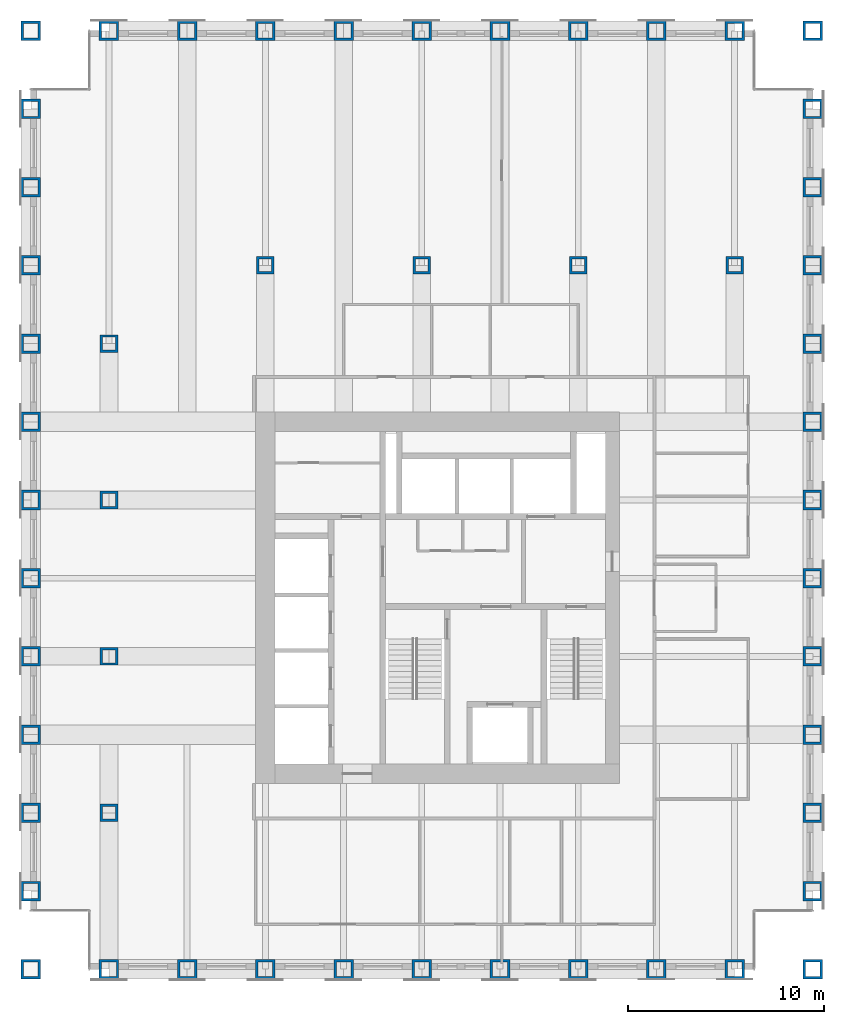
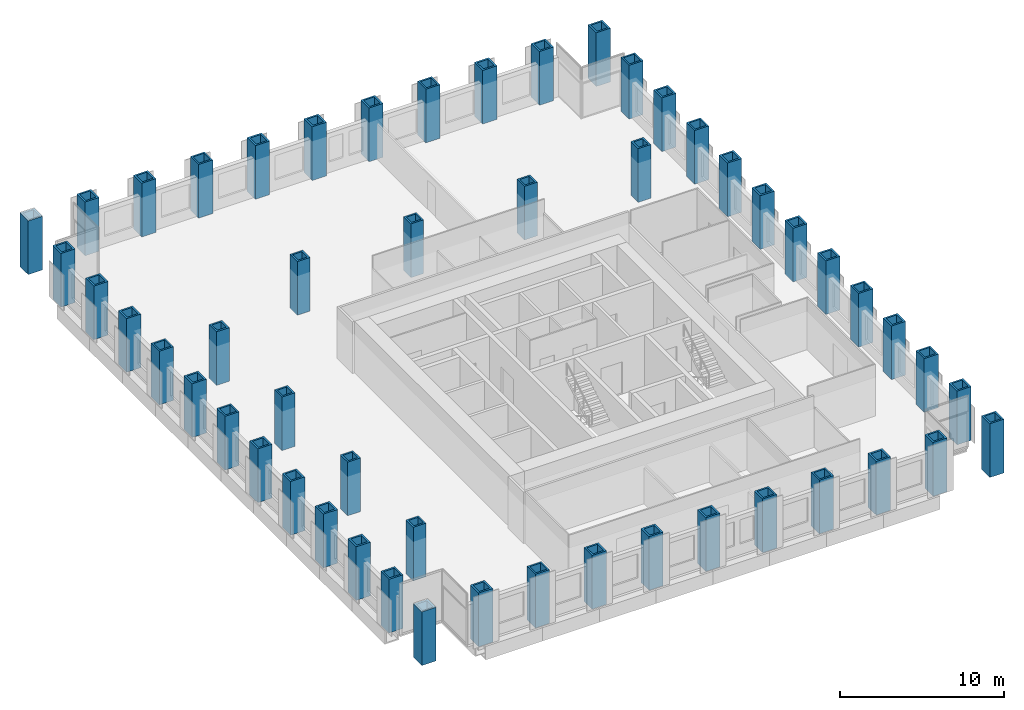
# One storey, part 1 of 13: 52 columns.
"""IFC4 building model written with IfcOpenShell, lengths in metres."""

import ifcopenshell
import ifcopenshell.guid

model = None  # the IFC model being written
_history = None  # IfcOwnerHistory: only IFC2X3 demands one
_inside = {}  # id of a spatial element -> (the spatial element, [elements in it])
_under = {}  # id of a project, library or spatial element -> (it, [spatial elements below it])
_declared = {}  # id of a project -> (the project, [libraries it declares])
_typed = {}  # id of a type object -> (the type object, [elements of that type])
_made_of = {}  # id of a material, layer set ... -> (it, [elements and type objects made of it])


def new_model(schema):
    """Start an empty IFC model of exactly this schema.

    Asked for "IFC4X3", IfcOpenShell would pick the latest addendum, in which some entities
    have other attributes; the version numbers below select the first issue.
    IFC2X3 requires an IfcOwnerHistory on every rooted entity: one is made here for all.
    """
    global model, _history
    if schema == "IFC4X3":
        model = ifcopenshell.file(schema_version=(4, 3, 0, 0))
    else:
        model = ifcopenshell.file(schema=schema)
    _inside.clear()
    _under.clear()
    _declared.clear()
    _typed.clear()
    _made_of.clear()
    _history = None
    if model.schema == "IFC2X3":
        org = make("IfcOrganization", Name="unknown")
        user = make(
            "IfcPersonAndOrganization",
            ThePerson=make("IfcPerson", FamilyName="unknown"),
            TheOrganization=org,
        )
        app = make(
            "IfcApplication",
            ApplicationDeveloper=org,
            Version="unknown",
            ApplicationFullName="unknown",
            ApplicationIdentifier="unknown",
        )
        _history = make(
            "IfcOwnerHistory",
            OwningUser=user,
            OwningApplication=app,
            ChangeAction="ADDED",
            CreationDate=0,
        )
    return model


def make(cls, **values):
    """One entity of the class cls with the attributes given. An attribute that is None is left unset."""
    return model.create_entity(
        cls, **{name: value for name, value in values.items() if value is not None}
    )


def rooted(cls, **values):
    """An entity with a GlobalId (a new one), such as an element, a storey or a relation."""
    return make(cls, GlobalId=ifcopenshell.guid.new(), OwnerHistory=_history, **values)


def si_unit(unit_type, name, prefix=None):
    """IfcSIUnit, for example si_unit("LENGTHUNIT", "METRE", prefix="MILLI")."""
    return make("IfcSIUnit", UnitType=unit_type, Prefix=prefix, Name=name)


def assignment(units):
    """IfcUnitAssignment: the units of a project."""
    return None if units is None else make("IfcUnitAssignment", Units=units)


def point(xyz):
    """IfcCartesianPoint."""
    return None if xyz is None else make("IfcCartesianPoint", Coordinates=xyz)


def direction(xyz):
    """IfcDirection."""
    return None if xyz is None else make("IfcDirection", DirectionRatios=xyz)


def frame(location, z_axis=None, x_axis=None):
    """IfcAxis2Placement3D, a coordinate frame: its origin and axes. An axis left out is left unset."""
    return make(
        "IfcAxis2Placement3D",
        Location=point(location),
        Axis=direction(z_axis),
        RefDirection=direction(x_axis),
    )


def frame_2d(location, x_axis=None):
    """IfcAxis2Placement2D, a coordinate frame in the plane: its origin and x axis."""
    return make(
        "IfcAxis2Placement2D", Location=point(location), RefDirection=direction(x_axis)
    )


def origin():
    """The frame at (0, 0, 0) with its axes left unset."""
    return frame((0.0, 0.0, 0.0))


def origin_2d():
    """The frame at (0, 0) in the plane with its x axis left unset."""
    return frame_2d((0.0, 0.0))


def place(relative_to, where):
    """IfcLocalPlacement: puts the frame where relative to a parent placement (None: the world)."""
    return make(
        "IfcLocalPlacement", PlacementRelTo=relative_to, RelativePlacement=where
    )


def context(
    kind, dimensions, precision=None, world=None, true_north=None, identifier=None
):
    """IfcGeometricRepresentationContext, for example the 3D "Model" context."""
    return make(
        "IfcGeometricRepresentationContext",
        ContextIdentifier=identifier,
        ContextType=kind,
        CoordinateSpaceDimension=dimensions,
        Precision=precision,
        WorldCoordinateSystem=world,
        TrueNorth=true_north,
    )


def subcontext(parent, identifier, kind, view, scale=None):
    """IfcGeometricRepresentationSubContext, for example "Body" below "Model"."""
    return make(
        "IfcGeometricRepresentationSubContext",
        ContextIdentifier=identifier,
        ContextType=kind,
        ParentContext=parent,
        TargetScale=scale,
        TargetView=view,
    )


def project(units=None, contexts=None):
    """IfcProject with its units and contexts."""
    return rooted(
        "IfcProject",
        Name="project",
        RepresentationContexts=contexts,
        UnitsInContext=assignment(units),
    )


def spatial(cls, under=None, at=None, **own):
    """A site, building, storey or space (cls), placed at a placement, below another one or the project."""
    s = rooted(cls, ObjectPlacement=at, **own)
    if under is not None:
        _under.setdefault(under.id(), (under, []))[1].append(s)
    return s


def profile(cls, at=None, kind="AREA", **sizes):
    """A parametric profile (cls). Its sizes go by their IFC names, for example OverallWidth=200.0."""
    return make(cls, ProfileType=kind, Position=at, **sizes)


def hollow_rectangle(**sizes):
    """IfcRectangleHollowProfileDef."""
    return profile("IfcRectangleHollowProfileDef", **sizes)


def extrude(swept, where, along, depth):
    """IfcExtrudedAreaSolid: the profile swept, set in the frame where, extruded along a direction by depth."""
    return make(
        "IfcExtrudedAreaSolid",
        SweptArea=swept,
        Position=where,
        ExtrudedDirection=direction(along),
        Depth=depth,
    )


def shape(context_of_items, identifier, shape_type, items):
    """IfcShapeRepresentation: the items that make up one representation, for example the "Body"."""
    return make(
        "IfcShapeRepresentation",
        ContextOfItems=context_of_items,
        RepresentationIdentifier=identifier,
        RepresentationType=shape_type,
        Items=items,
    )


def material(Name=None, Category=None):
    """IfcMaterial."""
    return make("IfcMaterial", Name=Name, Category=Category)


def material_profile(
    of_material, cross_section, Name=None, Category=None, Priority=None
):
    """IfcMaterialProfile: a cross section and its material."""
    return make(
        "IfcMaterialProfile",
        Name=Name,
        Material=of_material,
        Profile=cross_section,
        Priority=Priority,
        Category=Category,
    )


def profile_set(profiles, Name=None, composite=None):
    """IfcMaterialProfileSet."""
    return make(
        "IfcMaterialProfileSet",
        Name=Name,
        MaterialProfiles=profiles,
        CompositeProfile=composite,
    )


def made_of(thing, what):
    """Note that an element or type object is made of a material, layer set ...; save() writes the relation."""
    if what is not None:
        _made_of.setdefault(what.id(), (what, []))[1].append(thing)
    return thing


def type_object(cls, material=None, **own):
    """A type object (cls), such as IfcWallType, which elements share."""
    return made_of(rooted(cls, **own), material)


def element(
    cls,
    number,
    at=None,
    inside=None,
    cuts=None,
    type_object=None,
    material=None,
    context=None,
    identifier="Body",
    shape_type=None,
    held_by="IfcProductDefinitionShape",
    body=None,
    shapes=None,
    **own,
):
    """One element of the class cls, such as IfcWall. Its Tag is "e" and its number.

    at: its placement. inside: the storey or other place that contains it. cuts: it is an
    opening in that element (IfcRelVoidsElement). A single representation is given by context,
    identifier, shape_type and body (its items); several are given by shapes. held_by: the class
    of the entity that holds the representations. save() writes the other relations.
    """
    e = rooted(cls, Tag="e%d" % number, ObjectPlacement=at, **own)
    if body is not None:
        shapes = [shape(context, identifier, shape_type, body)]
    if shapes is not None:
        e.Representation = make(held_by, Representations=shapes)
    if inside is not None:
        _inside.setdefault(inside.id(), (inside, []))[1].append(e)
    if cuts is not None:
        rooted(
            "IfcRelVoidsElement", RelatingBuildingElement=cuts, RelatedOpeningElement=e
        )
    if type_object is not None:
        _typed.setdefault(type_object.id(), (type_object, []))[1].append(e)
    return made_of(e, material)


def aggregate(whole, parts):
    """IfcRelAggregates: a whole, such as a stair, and the parts it consists of."""
    return rooted("IfcRelAggregates", RelatingObject=whole, RelatedObjects=parts)


def save(model, path):
    """Write the relations noted so far, then the file.

    IfcRelAggregates (storeys below a building ...), IfcRelContainedInSpatialStructure (elements
    in a storey), IfcRelDefinesByType, IfcRelAssociatesMaterial and IfcRelDeclares: one each for
    every whole, place, type object, material and project.
    """
    for whole, parts in _under.values():
        aggregate(whole, parts)
    for where, things in _inside.values():
        rooted(
            "IfcRelContainedInSpatialStructure",
            RelatedElements=things,
            RelatingStructure=where,
        )
    for kind, things in _typed.values():
        rooted("IfcRelDefinesByType", RelatedObjects=things, RelatingType=kind)
    for what, things in _made_of.values():
        rooted("IfcRelAssociatesMaterial", RelatedObjects=things, RelatingMaterial=what)
    for by, libraries in _declared.values():
        rooted("IfcRelDeclares", RelatingContext=by, RelatedDefinitions=libraries)
    model.write(path)


model = new_model("IFC4")

# Units and contexts
model_context = context("Model", 3, precision=1e-05, world=origin(), true_north=direction((0.0, 1.0)))
body_context = subcontext(model_context, "Body", "Model", "MODEL_VIEW")
ifc_project = project(units=[si_unit("LENGTHUNIT", "METRE"), si_unit("AREAUNIT", "SQUARE_METRE"), si_unit("VOLUMEUNIT", "CUBIC_METRE"), si_unit("PLANEANGLEUNIT", "RADIAN"), si_unit("MASSUNIT", "GRAM", prefix="KILO")], contexts=[model_context])

# Site, building, storey
site_placement = place(None, origin())
site = spatial("IfcSite", under=ifc_project, at=site_placement, CompositionType="ELEMENT")
building_placement = place(site_placement, origin())
building = spatial("IfcBuilding", under=site, at=building_placement, Name="Rimbunsela Tower", CompositionType="ELEMENT")
storey_placement = place(building_placement, frame((0.0, 0.0, 199.800048828125)))
storey = spatial("IfcBuildingStorey", under=building, at=storey_placement, Name="L48", CompositionType="ELEMENT", Elevation=199.800048828125)

# Columns
ifc_material_1 = material(Name="Steel BJ 55 (fy 410 MPa)", Category="steel")
ifc_material_profile_1 = material_profile(ifc_material_1, hollow_rectangle(XDim=1.0, YDim=1.0, WallThickness=0.125, at=origin_2d()), Name="BOX 1000x1000x125")
ifc_profile_set_1 = profile_set([ifc_material_profile_1], Name="Steel BJ 55 (fy 410 MPa)")
column_type_1 = type_object("IfcColumnType", Name="Column BOX 1000x1000x125", PredefinedType="COLUMN", material=ifc_profile_set_1)
for number, where, z_axis, x_axis, name in (
    (1, (6.0, 8.0, 0.0), (0.0, 0.0, 1.0), (1.0, 0.0, 0.0), "Column C8 4/D L48"),
    (2, (6.0, 12.0, 0.0), (0.0, 0.0, 1.0), (1.0, 0.0, 0.0), "Column C8 4/E L48"),
    (3, (6.0, 16.0, 0.0), (0.0, 0.0, 1.0), (1.0, 0.0, 0.0), "Column C8 4/F L48"),
    (4, (6.0, 20.0, 0.0), (0.0, 0.0, 1.0), (1.0, 0.0, 0.0), "Column C8 4/G L48"),
    (5, (6.0, 24.0, 0.0), (0.0, 0.0, 1.0), (1.0, 0.0, 0.0), "Column C8 4/H L48"),
    (6, (6.0, 28.0, 0.0), (0.0, 0.0, 1.0), (1.0, 0.0, 0.0), "Column C8 4/J L48"),
    (7, (6.0, 32.0, 0.0), (0.0, 0.0, 1.0), (1.0, 0.0, 0.0), "Column C8 4/K L48"),
    (8, (6.0, 36.0, 0.0), (0.0, 0.0, 1.0), (1.0, 0.0, 0.0), "Column C8 4/L L48"),
    (9, (6.0, 40.0, 0.0), (0.0, 0.0, 1.0), (1.0, 0.0, 0.0), "Column C8 4/M L48"),
    (10, (6.0, 44.0, 0.0), (0.0, 0.0, 1.0), (1.0, 0.0, 0.0), "Column C8 4/N L48"),
    (11, (6.0, 48.0, 0.0), (0.0, 0.0, 1.0), (1.0, 0.0, 0.0), "Column C8 4/P L48"),
    (12, (6.0, 52.0, 0.0), (0.0, 0.0, 1.0), (1.0, 0.0, 0.0), "Column C8 4/Q L48"),
    (13, (6.0, 56.0, 0.0), (0.0, 0.0, 1.0), (1.0, 0.0, 0.0), "Column C8 4/R L48"),
    (14, (10.0, 8.0, 0.0), (0.0, 0.0, 1.0), (1.0, 0.0, 0.0), "Column C8 5/D L48"),
    (15, (10.0, 56.0, 0.0), (0.0, 0.0, 1.0), (1.0, 0.0, 0.0), "Column C8 5/R L48"),
    (16, (14.0, 8.0, 0.0), (0.0, 0.0, 1.0), (1.0, 0.0, 0.0), "Column C8 6/D L48"),
    (17, (14.0, 56.0, 0.0), (0.0, 0.0, 1.0), (1.0, 0.0, 0.0), "Column C8 6/R L48"),
    (18, (18.0, 8.0, 0.0), (0.0, 0.0, 1.0), (1.0, 0.0, 0.0), "Column C8 7/D L48"),
    (19, (18.0, 56.0, 0.0), (0.0, 0.0, 1.0), (1.0, 0.0, 0.0), "Column C8 7/R L48"),
    (20, (22.0, 8.0, 0.0), (0.0, 0.0, 1.0), (1.0, 0.0, 0.0), "Column C8 8/D L48"),
    (21, (22.0, 56.0, 0.0), (0.0, 0.0, 1.0), (1.0, 0.0, 0.0), "Column C8 8/R L48"),
    (22, (26.0, 8.0, 0.0), (0.0, 0.0, 1.0), (1.0, 0.0, 0.0), "Column C8 9/D L48"),
    (23, (26.0, 56.0, 0.0), (0.0, 0.0, 1.0), (1.0, 0.0, 0.0), "Column C8 9/R L48"),
    (24, (30.0, 8.0, 0.0), (0.0, 0.0, 1.0), (1.0, 0.0, 0.0), "Column C8 10/D L48"),
    (25, (30.0, 56.0, 0.0), (0.0, 0.0, 1.0), (1.0, 0.0, 0.0), "Column C8 10/R L48"),
    (26, (34.0, 8.0, 0.0), (0.0, 0.0, 1.0), (1.0, 0.0, 0.0), "Column C8 11/D L48"),
    (27, (34.0, 56.0, 0.0), (0.0, 0.0, 1.0), (1.0, 0.0, 0.0), "Column C8 11/R L48"),
    (28, (38.0, 8.0, 0.0), (0.0, 0.0, 1.0), (1.0, 0.0, 0.0), "Column C8 12/D L48"),
    (29, (38.0, 56.0, 0.0), (0.0, 0.0, 1.0), (1.0, 0.0, 0.0), "Column C8 12/R L48"),
    (30, (42.0, 8.0, 0.0), (0.0, 0.0, 1.0), (1.0, 0.0, 0.0), "Column C8 13/D L48"),
    (31, (42.0, 56.0, 0.0), (0.0, 0.0, 1.0), (1.0, 0.0, 0.0), "Column C8 13/R L48"),
    (32, (46.0, 8.0, 0.0), (0.0, 0.0, 1.0), (1.0, 0.0, 0.0), "Column C8 14/D L48"),
    (33, (46.0, 12.0, 0.0), (0.0, 0.0, 1.0), (1.0, 0.0, 0.0), "Column C8 14/E L48"),
    (34, (46.0, 16.0, 0.0), (0.0, 0.0, 1.0), (1.0, 0.0, 0.0), "Column C8 14/F L48"),
    (35, (46.0, 20.0, 0.0), (0.0, 0.0, 1.0), (1.0, 0.0, 0.0), "Column C8 14/G L48"),
    (36, (46.0, 24.0, 0.0), (0.0, 0.0, 1.0), (1.0, 0.0, 0.0), "Column C8 14/H L48"),
    (37, (46.0, 28.0, 0.0), (0.0, 0.0, 1.0), (1.0, 0.0, 0.0), "Column C8 14/J L48"),
    (38, (46.0, 32.0, 0.0), (0.0, 0.0, 1.0), (1.0, 0.0, 0.0), "Column C8 14/K L48"),
    (39, (46.0, 36.0, 0.0), (0.0, 0.0, 1.0), (1.0, 0.0, 0.0), "Column C8 14/L L48"),
    (40, (46.0, 40.0, 0.0), (0.0, 0.0, 1.0), (1.0, 0.0, 0.0), "Column C8 14/M L48"),
    (41, (46.0, 44.0, 0.0), (0.0, 0.0, 1.0), (1.0, 0.0, 0.0), "Column C8 14/N L48"),
    (42, (46.0, 48.0, 0.0), (0.0, 0.0, 1.0), (1.0, 0.0, 0.0), "Column C8 14/P L48"),
    (43, (46.0, 52.0, 0.0), (0.0, 0.0, 1.0), (1.0, 0.0, 0.0), "Column C8 14/Q L48"),
    (44, (46.0, 56.0, 0.0), (0.0, 0.0, 1.0), (1.0, 0.0, 0.0), "Column C8 14/R L48"),
):
    element("IfcColumn", number, at=place(storey_placement, frame(where, z_axis=z_axis, x_axis=x_axis)), inside=storey, type_object=column_type_1, Name=name, PredefinedType="COLUMN", context=body_context, shape_type="SweptSolid", body=[
        extrude(hollow_rectangle(XDim=1.0, YDim=1.0, WallThickness=0.125, at=origin_2d()), origin(), (0.0, 0.0, 1.0), 4.0),
    ])
ifc_material_2 = material(Name="Steel BJ 55 (fy 410 MPa)", Category="steel")
ifc_material_profile_2 = material_profile(ifc_material_2, hollow_rectangle(XDim=0.89990234375, YDim=0.89990234375, WallThickness=0.125, at=origin_2d()), Name="BOX 900x900x125")
ifc_profile_set_2 = profile_set([ifc_material_profile_2], Name="Steel BJ 55 (fy 410 MPa)")
column_type_2 = type_object("IfcColumnType", Name="Column BOX 900x900x125", PredefinedType="COLUMN", material=ifc_profile_set_2)
for number, where, z_axis, x_axis, name in (
    (45, (10.0, 16.0, 0.0), (0.0, 0.0, 1.0), (1.0, 0.0, 0.0), "Column C9 5/F L48"),
    (46, (10.0, 24.0, 0.0), (0.0, 0.0, 1.0), (1.0, 0.0, 0.0), "Column C9 5/H L48"),
    (47, (10.0, 32.0, 0.0), (0.0, 0.0, 1.0), (1.0, 0.0, 0.0), "Column C9 5/K L48"),
    (48, (10.0, 40.0, 0.0), (0.0, 0.0, 1.0), (1.0, 0.0, 0.0), "Column C9 5/M L48"),
    (49, (18.0, 44.0, 0.0), (0.0, 0.0, 1.0), (1.0, 0.0, 0.0), "Column C9 7/N L48"),
    (50, (26.0, 44.0, 0.0), (0.0, 0.0, 1.0), (1.0, 0.0, 0.0), "Column C9 9/N L48"),
    (51, (34.0, 44.0, 0.0), (0.0, 0.0, 1.0), (1.0, 0.0, 0.0), "Column C9 11/N L48"),
    (52, (42.0, 44.0, 0.0), (0.0, 0.0, 1.0), (1.0, 0.0, 0.0), "Column C9 13/N L48"),
):
    element("IfcColumn", number, at=place(storey_placement, frame(where, z_axis=z_axis, x_axis=x_axis)), inside=storey, type_object=column_type_2, Name=name, PredefinedType="COLUMN", context=body_context, shape_type="SweptSolid", body=[
        extrude(hollow_rectangle(XDim=0.89990234375, YDim=0.89990234375, WallThickness=0.125, at=origin_2d()), origin(), (0.0, 0.0, 1.0), 4.0),
    ])

save(model, "model.ifc")
